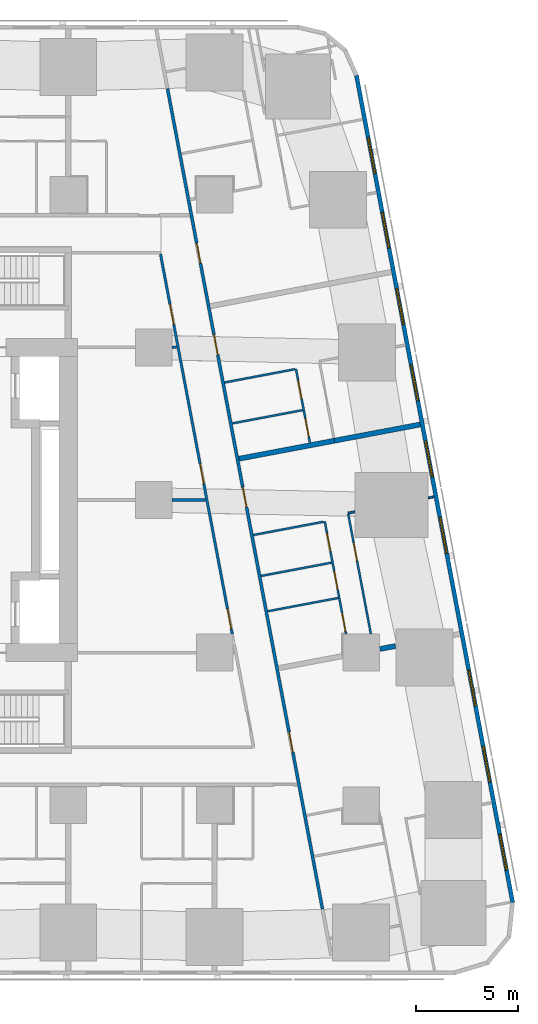
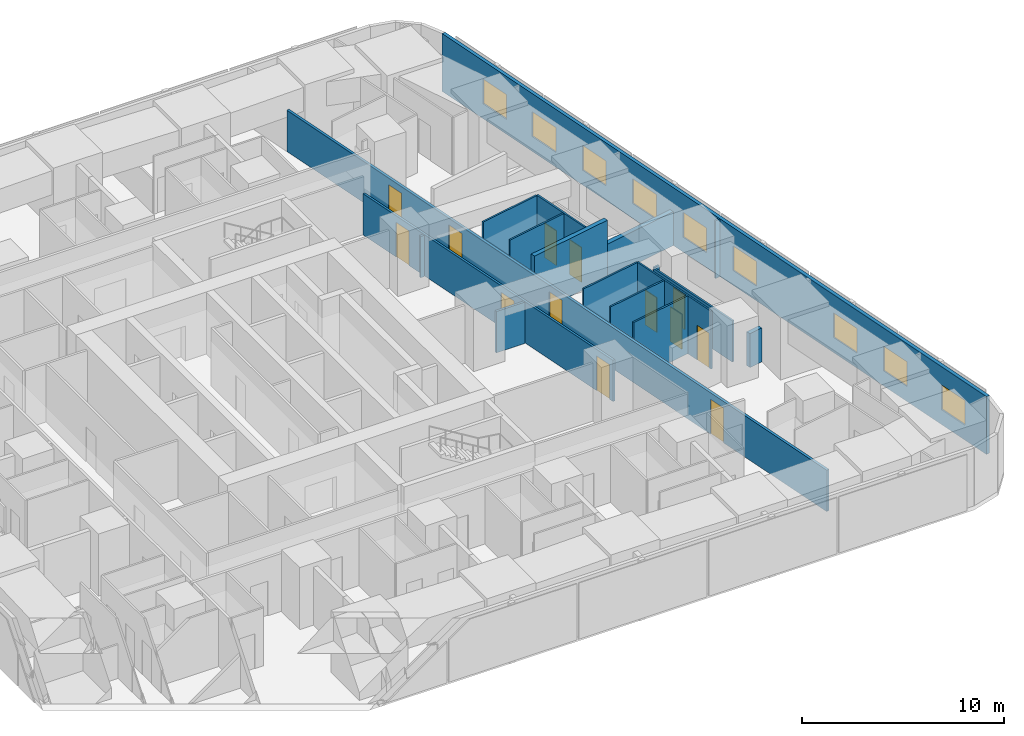
# One storey, part 7 of 15: 18 walls, 13 doors, 9 windows, 22 openings.
"""IFC4 building model written with IfcOpenShell, lengths in metres."""

import ifcopenshell
import ifcopenshell.guid

model = None  # the IFC model being written
_history = None  # IfcOwnerHistory: only IFC2X3 demands one
_inside = {}  # id of a spatial element -> (the spatial element, [elements in it])
_under = {}  # id of a project, library or spatial element -> (it, [spatial elements below it])
_declared = {}  # id of a project -> (the project, [libraries it declares])
_typed = {}  # id of a type object -> (the type object, [elements of that type])
_made_of = {}  # id of a material, layer set ... -> (it, [elements and type objects made of it])


def new_model(schema):
    """Start an empty IFC model of exactly this schema.

    Asked for "IFC4X3", IfcOpenShell would pick the latest addendum, in which some entities
    have other attributes; the version numbers below select the first issue.
    IFC2X3 requires an IfcOwnerHistory on every rooted entity: one is made here for all.
    """
    global model, _history
    if schema == "IFC4X3":
        model = ifcopenshell.file(schema_version=(4, 3, 0, 0))
    else:
        model = ifcopenshell.file(schema=schema)
    _inside.clear()
    _under.clear()
    _declared.clear()
    _typed.clear()
    _made_of.clear()
    _history = None
    if model.schema == "IFC2X3":
        org = make("IfcOrganization", Name="unknown")
        user = make(
            "IfcPersonAndOrganization",
            ThePerson=make("IfcPerson", FamilyName="unknown"),
            TheOrganization=org,
        )
        app = make(
            "IfcApplication",
            ApplicationDeveloper=org,
            Version="unknown",
            ApplicationFullName="unknown",
            ApplicationIdentifier="unknown",
        )
        _history = make(
            "IfcOwnerHistory",
            OwningUser=user,
            OwningApplication=app,
            ChangeAction="ADDED",
            CreationDate=0,
        )
    return model


def make(cls, **values):
    """One entity of the class cls with the attributes given. An attribute that is None is left unset."""
    return model.create_entity(
        cls, **{name: value for name, value in values.items() if value is not None}
    )


def rooted(cls, **values):
    """An entity with a GlobalId (a new one), such as an element, a storey or a relation."""
    return make(cls, GlobalId=ifcopenshell.guid.new(), OwnerHistory=_history, **values)


def si_unit(unit_type, name, prefix=None):
    """IfcSIUnit, for example si_unit("LENGTHUNIT", "METRE", prefix="MILLI")."""
    return make("IfcSIUnit", UnitType=unit_type, Prefix=prefix, Name=name)


def assignment(units):
    """IfcUnitAssignment: the units of a project."""
    return None if units is None else make("IfcUnitAssignment", Units=units)


def point(xyz):
    """IfcCartesianPoint."""
    return None if xyz is None else make("IfcCartesianPoint", Coordinates=xyz)


def direction(xyz):
    """IfcDirection."""
    return None if xyz is None else make("IfcDirection", DirectionRatios=xyz)


def frame(location, z_axis=None, x_axis=None):
    """IfcAxis2Placement3D, a coordinate frame: its origin and axes. An axis left out is left unset."""
    return make(
        "IfcAxis2Placement3D",
        Location=point(location),
        Axis=direction(z_axis),
        RefDirection=direction(x_axis),
    )


def frame_2d(location, x_axis=None):
    """IfcAxis2Placement2D, a coordinate frame in the plane: its origin and x axis."""
    return make(
        "IfcAxis2Placement2D", Location=point(location), RefDirection=direction(x_axis)
    )


def origin():
    """The frame at (0, 0, 0) with its axes left unset."""
    return frame((0.0, 0.0, 0.0))


def place(relative_to, where):
    """IfcLocalPlacement: puts the frame where relative to a parent placement (None: the world)."""
    return make(
        "IfcLocalPlacement", PlacementRelTo=relative_to, RelativePlacement=where
    )


def context(
    kind, dimensions, precision=None, world=None, true_north=None, identifier=None
):
    """IfcGeometricRepresentationContext, for example the 3D "Model" context."""
    return make(
        "IfcGeometricRepresentationContext",
        ContextIdentifier=identifier,
        ContextType=kind,
        CoordinateSpaceDimension=dimensions,
        Precision=precision,
        WorldCoordinateSystem=world,
        TrueNorth=true_north,
    )


def subcontext(parent, identifier, kind, view, scale=None):
    """IfcGeometricRepresentationSubContext, for example "Body" below "Model"."""
    return make(
        "IfcGeometricRepresentationSubContext",
        ContextIdentifier=identifier,
        ContextType=kind,
        ParentContext=parent,
        TargetScale=scale,
        TargetView=view,
    )


def project(units=None, contexts=None):
    """IfcProject with its units and contexts."""
    return rooted(
        "IfcProject",
        Name="project",
        RepresentationContexts=contexts,
        UnitsInContext=assignment(units),
    )


def spatial(cls, under=None, at=None, **own):
    """A site, building, storey or space (cls), placed at a placement, below another one or the project."""
    s = rooted(cls, ObjectPlacement=at, **own)
    if under is not None:
        _under.setdefault(under.id(), (under, []))[1].append(s)
    return s


def profile(cls, at=None, kind="AREA", **sizes):
    """A parametric profile (cls). Its sizes go by their IFC names, for example OverallWidth=200.0."""
    return make(cls, ProfileType=kind, Position=at, **sizes)


def rectangle(**sizes):
    """IfcRectangleProfileDef."""
    return profile("IfcRectangleProfileDef", **sizes)


def extrude(swept, where, along, depth):
    """IfcExtrudedAreaSolid: the profile swept, set in the frame where, extruded along a direction by depth."""
    return make(
        "IfcExtrudedAreaSolid",
        SweptArea=swept,
        Position=where,
        ExtrudedDirection=direction(along),
        Depth=depth,
    )


def shape(context_of_items, identifier, shape_type, items):
    """IfcShapeRepresentation: the items that make up one representation, for example the "Body"."""
    return make(
        "IfcShapeRepresentation",
        ContextOfItems=context_of_items,
        RepresentationIdentifier=identifier,
        RepresentationType=shape_type,
        Items=items,
    )


def material(Name=None, Category=None):
    """IfcMaterial."""
    return make("IfcMaterial", Name=Name, Category=Category)


def layer(
    of_material, thickness, ventilated=None, Name=None, Category=None, Priority=None
):
    """IfcMaterialLayer: one layer of a wall or slab, of a material (None: an air gap)."""
    return make(
        "IfcMaterialLayer",
        Material=of_material,
        LayerThickness=thickness,
        IsVentilated=ventilated,
        Name=Name,
        Category=Category,
        Priority=Priority,
    )


def layer_set(layers, Name=None):
    """IfcMaterialLayerSet."""
    return make("IfcMaterialLayerSet", MaterialLayers=layers, LayerSetName=Name)


def made_of(thing, what):
    """Note that an element or type object is made of a material, layer set ...; save() writes the relation."""
    if what is not None:
        _made_of.setdefault(what.id(), (what, []))[1].append(thing)
    return thing


def type_object(cls, material=None, **own):
    """A type object (cls), such as IfcWallType, which elements share."""
    return made_of(rooted(cls, **own), material)


def element(
    cls,
    number,
    at=None,
    inside=None,
    cuts=None,
    type_object=None,
    material=None,
    context=None,
    identifier="Body",
    shape_type=None,
    held_by="IfcProductDefinitionShape",
    body=None,
    shapes=None,
    **own,
):
    """One element of the class cls, such as IfcWall. Its Tag is "e" and its number.

    at: its placement. inside: the storey or other place that contains it. cuts: it is an
    opening in that element (IfcRelVoidsElement). A single representation is given by context,
    identifier, shape_type and body (its items); several are given by shapes. held_by: the class
    of the entity that holds the representations. save() writes the other relations.
    """
    e = rooted(cls, Tag="e%d" % number, ObjectPlacement=at, **own)
    if body is not None:
        shapes = [shape(context, identifier, shape_type, body)]
    if shapes is not None:
        e.Representation = make(held_by, Representations=shapes)
    if inside is not None:
        _inside.setdefault(inside.id(), (inside, []))[1].append(e)
    if cuts is not None:
        rooted(
            "IfcRelVoidsElement", RelatingBuildingElement=cuts, RelatedOpeningElement=e
        )
    if type_object is not None:
        _typed.setdefault(type_object.id(), (type_object, []))[1].append(e)
    return made_of(e, material)


def fill(opening, filler):
    """IfcRelFillsElement: the door or window that sits in an opening."""
    return rooted(
        "IfcRelFillsElement",
        RelatingOpeningElement=opening,
        RelatedBuildingElement=filler,
    )


def aggregate(whole, parts):
    """IfcRelAggregates: a whole, such as a stair, and the parts it consists of."""
    return rooted("IfcRelAggregates", RelatingObject=whole, RelatedObjects=parts)


def save(model, path):
    """Write the relations noted so far, then the file.

    IfcRelAggregates (storeys below a building ...), IfcRelContainedInSpatialStructure (elements
    in a storey), IfcRelDefinesByType, IfcRelAssociatesMaterial and IfcRelDeclares: one each for
    every whole, place, type object, material and project.
    """
    for whole, parts in _under.values():
        aggregate(whole, parts)
    for where, things in _inside.values():
        rooted(
            "IfcRelContainedInSpatialStructure",
            RelatedElements=things,
            RelatingStructure=where,
        )
    for kind, things in _typed.values():
        rooted("IfcRelDefinesByType", RelatedObjects=things, RelatingType=kind)
    for what, things in _made_of.values():
        rooted("IfcRelAssociatesMaterial", RelatedObjects=things, RelatingMaterial=what)
    for by, libraries in _declared.values():
        rooted("IfcRelDeclares", RelatingContext=by, RelatedDefinitions=libraries)
    model.write(path)


model = new_model("IFC4")

# Units and contexts
model_context = context("Model", 3, precision=1e-05, world=origin(), true_north=direction((0.0, 1.0)))
body_context = subcontext(model_context, "Body", "Model", "MODEL_VIEW")
ifc_project = project(units=[si_unit("LENGTHUNIT", "METRE"), si_unit("AREAUNIT", "SQUARE_METRE"), si_unit("VOLUMEUNIT", "CUBIC_METRE"), si_unit("PLANEANGLEUNIT", "RADIAN"), si_unit("MASSUNIT", "GRAM", prefix="KILO")], contexts=[model_context])

# Site, building, storey
site_placement = place(None, origin())
site = spatial("IfcSite", under=ifc_project, at=site_placement, CompositionType="ELEMENT")
building_placement = place(site_placement, origin())
building = spatial("IfcBuilding", under=site, at=building_placement, Name="Sheger Commons Tower", CompositionType="ELEMENT")
storey_placement = place(building_placement, frame((0.0, 0.0, 46.25)))
storey = spatial("IfcBuildingStorey", under=building, at=storey_placement, Name="L11", CompositionType="ELEMENT", Elevation=46.25)

# Wall, openings, doors
ifc_material_1 = material(Name="Hollow concrete block masonry, skimmed both sides", Category="masonry")
ifc_layer_1 = layer(ifc_material_1, 0.14990234375)
ifc_layer_set_1 = layer_set([ifc_layer_1], Name="CORRIDOR WALL 150")
wall_type_1 = type_object("IfcWallType", Name="CORRIDOR WALL 150", PredefinedType="SOLIDWALL", material=ifc_layer_set_1)
wall_1_placement = place(storey_placement, frame((33.679931640625, 42.722900390625, 0.0), z_axis=(0.0, 0.0, 1.0), x_axis=(0.185624129307, -0.98262082342, 0.0)))
wall_1 = element("IfcWall", 1, at=wall_1_placement, inside=storey, type_object=wall_type_1, Name="Corridor wall L11", PredefinedType="SOLIDWALL", context=body_context, shape_type="SweptSolid", body=[
    extrude(rectangle(XDim=41.05126953125, YDim=0.14990234375, at=frame_2d((20.525634765625, 0.0))), origin(), (0.0, 0.0, 1.0), 2.5),
])
opening_1_placement = place(wall_1_placement, frame((7.72998046875, 0.0, 0.0)))
opening_1 = element("IfcOpeningElement", 2, at=opening_1_placement, cuts=wall_1, Name="Opening D1", PredefinedType="OPENING", context=body_context, shape_type="SweptSolid", body=[
    extrude(rectangle(XDim=1.0, YDim=2.10009765625, at=frame_2d((0.5, 1.050048828125))), frame((0.0, 0.0849609375, 0.0), z_axis=(0.0, -1.0, 0.0), x_axis=(1.0, 0.0, 0.0)), (0.0, 0.0, 1.0), 0.169921875),
])
opening_2_placement = place(wall_1_placement, frame((12.306884765625, 0.0, 0.0)))
opening_2 = element("IfcOpeningElement", 3, at=opening_2_placement, cuts=wall_1, Name="Opening D1", PredefinedType="OPENING", context=body_context, shape_type="SweptSolid", body=[
    extrude(rectangle(XDim=1.0, YDim=2.10009765625, at=frame_2d((0.5, 1.050048828125))), frame((0.0, 0.0849609375, 0.0), z_axis=(0.0, -1.0, 0.0), x_axis=(1.0, 0.0, 0.0)), (0.0, 0.0, 1.0), 0.169921875),
])
opening_3_placement = place(wall_1_placement, frame((19.93798828125, 0.0, 0.0)))
opening_3 = element("IfcOpeningElement", 4, at=opening_3_placement, cuts=wall_1, Name="Opening D1", PredefinedType="OPENING", context=body_context, shape_type="SweptSolid", body=[
    extrude(rectangle(XDim=1.0, YDim=2.10009765625, at=frame_2d((0.5, 1.050048828125))), frame((0.0, 0.0849609375, 0.0), z_axis=(0.0, -1.0, 0.0), x_axis=(1.0, 0.0, 0.0)), (0.0, 0.0, 1.0), 0.169921875),
])
opening_4_placement = place(wall_1_placement, frame((32.193115234375, 0.0, 0.0)))
opening_4 = element("IfcOpeningElement", 5, at=opening_4_placement, cuts=wall_1, Name="Opening D1", PredefinedType="OPENING", context=body_context, shape_type="SweptSolid", body=[
    extrude(rectangle(XDim=1.0, YDim=2.10009765625, at=frame_2d((0.5, 1.050048828125))), frame((0.0, 0.0849609375, 0.0), z_axis=(0.0, -1.0, 0.0), x_axis=(1.0, 0.0, 0.0)), (0.0, 0.0, 1.0), 0.169921875),
])
ifc_material_2 = material(Name="Steel door set, fire rated", Category="steel")
door_type_1 = type_object("IfcDoorType", Name="FLAT ENTRANCE DOOR 1000x2100", OperationType="NOTDEFINED", PredefinedType="DOOR", material=ifc_material_2)
door_1_placement = place(opening_1_placement, origin())
door_1 = element("IfcDoor", 6, at=door_1_placement, inside=storey, type_object=door_type_1, Name="Flat entrance door", OperationType="SINGLE_SWING_RIGHT", OverallHeight=2.10009765625, OverallWidth=1.0, PredefinedType="DOOR", context=body_context, shape_type="SweptSolid", body=[
    extrude(rectangle(XDim=1.0, YDim=2.10009765625, at=frame_2d((0.5, 1.050048828125))), frame((0.0, 0.02490234375, 0.0), z_axis=(0.0, -1.0, 0.0), x_axis=(1.0, 0.0, 0.0)), (0.0, 0.0, 1.0), 0.050048828125),
])
fill(opening_1, door_1)
door_2_placement = place(opening_2_placement, origin())
door_2 = element("IfcDoor", 7, at=door_2_placement, inside=storey, type_object=door_type_1, Name="Flat entrance door", OperationType="SINGLE_SWING_LEFT", OverallHeight=2.10009765625, OverallWidth=1.0, PredefinedType="DOOR", context=body_context, shape_type="SweptSolid", body=[
    extrude(rectangle(XDim=1.0, YDim=2.10009765625, at=frame_2d((0.5, 1.050048828125))), frame((0.0, 0.02490234375, 0.0), z_axis=(0.0, -1.0, 0.0), x_axis=(1.0, 0.0, 0.0)), (0.0, 0.0, 1.0), 0.050048828125),
])
fill(opening_2, door_2)
door_3_placement = place(opening_3_placement, origin())
door_3 = element("IfcDoor", 8, at=door_3_placement, inside=storey, type_object=door_type_1, Name="Flat entrance door", OperationType="SINGLE_SWING_RIGHT", OverallHeight=2.10009765625, OverallWidth=1.0, PredefinedType="DOOR", context=body_context, shape_type="SweptSolid", body=[
    extrude(rectangle(XDim=1.0, YDim=2.10009765625, at=frame_2d((0.5, 1.050048828125))), frame((0.0, 0.02490234375, 0.0), z_axis=(0.0, -1.0, 0.0), x_axis=(1.0, 0.0, 0.0)), (0.0, 0.0, 1.0), 0.050048828125),
])
fill(opening_3, door_3)
door_4_placement = place(opening_4_placement, origin())
door_4 = element("IfcDoor", 9, at=door_4_placement, inside=storey, type_object=door_type_1, Name="Flat entrance door", OperationType="SINGLE_SWING_RIGHT", OverallHeight=2.10009765625, OverallWidth=1.0, PredefinedType="DOOR", context=body_context, shape_type="SweptSolid", body=[
    extrude(rectangle(XDim=1.0, YDim=2.10009765625, at=frame_2d((0.5, 1.050048828125))), frame((0.0, 0.02490234375, 0.0), z_axis=(0.0, -1.0, 0.0), x_axis=(1.0, 0.0, 0.0)), (0.0, 0.0, 1.0), 0.050048828125),
])
fill(opening_4, door_4)

# Walls
ifc_material_3 = material(Name="Dense concrete block masonry, plastered both sides (separating wall between flats)", Category="masonry")
ifc_layer_2 = layer(ifc_material_3, 0.25)
ifc_layer_set_2 = layer_set([ifc_layer_2], Name="DEMISING WALL 250")
wall_type_2 = type_object("IfcWallType", Name="DEMISING WALL 250", PredefinedType="SOLIDWALL", material=ifc_layer_set_2)
wall_2_placement = place(storey_placement, frame((46.110107421875, 26.212890625, 0.0), z_axis=(0.0, 0.0, 1.0), x_axis=(-0.982633535512, -0.185556823879, 0.0)))
element("IfcWall", 10, at=wall_2_placement, inside=storey, type_object=wall_type_2, Name="Demising wall L11", PredefinedType="SOLIDWALL", context=body_context, shape_type="SweptSolid", body=[
    extrude(rectangle(XDim=4.2998046875, YDim=0.25, at=frame_2d((2.14990234375, 0.0))), origin(), (0.0, 0.0, 1.0), 2.050048828125),
])
wall_3_placement = place(storey_placement, frame((41.885009765625, 25.4150390625, 0.0), z_axis=(0.0, 0.0, 1.0), x_axis=(-0.982596737686, -0.185751584349, 0.0)))
element("IfcWall", 11, at=wall_3_placement, inside=storey, type_object=wall_type_2, Name="Demising wall L11", PredefinedType="SOLIDWALL", context=body_context, shape_type="SweptSolid", body=[
    extrude(rectangle(XDim=4.77490234375, YDim=0.25, at=frame_2d((2.387451171875, 0.0))), origin(), (0.0, 0.0, 1.0), 3.5),
])
wall_4_placement = place(storey_placement, frame((44.889892578125, 15.319091796875, 0.0), z_axis=(0.0, 0.0, 1.0), x_axis=(-0.982540856152, -0.186046945666, 0.0)))
element("IfcWall", 12, at=wall_4_placement, inside=storey, type_object=wall_type_2, Name="Demising wall L11", PredefinedType="SOLIDWALL", context=body_context, shape_type="SweptSolid", body=[
    extrude(rectangle(XDim=0.779541015625, YDim=0.25, at=frame_2d((0.3896484375, 0.0))), origin(), (0.0, 0.0, 1.0), 2.050048828125),
])

# Wall, openings, windows
ifc_material_4 = material(Name="Rendered concrete block masonry, dark grey", Category="masonry")
ifc_layer_3 = layer(ifc_material_4, 0.199951171875)
ifc_layer_set_3 = layer_set([ifc_layer_3], Name="FACADE WALL 200")
wall_type_3 = type_object("IfcWallType", Name="FACADE WALL 200", PredefinedType="SOLIDWALL", material=ifc_layer_set_3)
wall_5_placement = place(storey_placement, frame((50.653076171875, 2.702880859375, 0.0), z_axis=(0.0, 0.0, 1.0), x_axis=(-0.185612026696, 0.982623109613, 0.0)))
wall_5 = element("IfcWall", 13, at=wall_5_placement, inside=storey, type_object=wall_type_3, Name="Facade wall L11", PredefinedType="SOLIDWALL", context=body_context, shape_type="SweptSolid", body=[
    extrude(rectangle(XDim=41.393310546875, YDim=0.199951171875, at=frame_2d((20.69677734375, 0.0))), origin(), (0.0, 0.0, 1.0), 3.5),
])
opening_5_placement = place(wall_5_placement, frame((1.633056640625, 0.0, 0.89990234375)))
opening_5 = element("IfcOpeningElement", 14, at=opening_5_placement, cuts=wall_5, Name="Opening W2", PredefinedType="OPENING", context=body_context, shape_type="SweptSolid", body=[
    extrude(rectangle(XDim=1.800048828125, YDim=1.5, at=frame_2d((0.89990234375, 0.75))), frame((0.0, 0.10986328125, 0.0), z_axis=(0.0, -1.0, 0.0), x_axis=(1.0, 0.0, 0.0)), (0.0, 0.0, 1.0), 0.219970703125),
])
opening_6_placement = place(wall_5_placement, frame((6.031982421875, 0.0, 0.89990234375)))
opening_6 = element("IfcOpeningElement", 15, at=opening_6_placement, cuts=wall_5, Name="Opening W2", PredefinedType="OPENING", context=body_context, shape_type="SweptSolid", body=[
    extrude(rectangle(XDim=1.800048828125, YDim=1.5, at=frame_2d((0.89990234375, 0.75))), frame((0.0, 0.10986328125, 0.0), z_axis=(0.0, -1.0, 0.0), x_axis=(1.0, 0.0, 0.0)), (0.0, 0.0, 1.0), 0.219970703125),
])
opening_7_placement = place(wall_5_placement, frame((9.847900390625, 0.0, 0.89990234375)))
opening_7 = element("IfcOpeningElement", 16, at=opening_7_placement, cuts=wall_5, Name="Opening W2", PredefinedType="OPENING", context=body_context, shape_type="SweptSolid", body=[
    extrude(rectangle(XDim=1.800048828125, YDim=1.5, at=frame_2d((0.89990234375, 0.75))), frame((0.0, 0.10986328125, 0.0), z_axis=(0.0, -1.0, 0.0), x_axis=(1.0, 0.0, 0.0)), (0.0, 0.0, 1.0), 0.219970703125),
])
opening_8_placement = place(wall_5_placement, frame((17.48095703125, 0.0, 0.89990234375)))
opening_8 = element("IfcOpeningElement", 17, at=opening_8_placement, cuts=wall_5, Name="Opening W2", PredefinedType="OPENING", context=body_context, shape_type="SweptSolid", body=[
    extrude(rectangle(XDim=1.800048828125, YDim=1.5, at=frame_2d((0.89990234375, 0.75))), frame((0.0, 0.10986328125, 0.0), z_axis=(0.0, -1.0, 0.0), x_axis=(1.0, 0.0, 0.0)), (0.0, 0.0, 1.0), 0.219970703125),
])
opening_9_placement = place(wall_5_placement, frame((21.297119140625, 0.0, 0.89990234375)))
opening_9 = element("IfcOpeningElement", 18, at=opening_9_placement, cuts=wall_5, Name="Opening W2", PredefinedType="OPENING", context=body_context, shape_type="SweptSolid", body=[
    extrude(rectangle(XDim=1.800048828125, YDim=1.5, at=frame_2d((0.89990234375, 0.75))), frame((0.0, 0.10986328125, 0.0), z_axis=(0.0, -1.0, 0.0), x_axis=(1.0, 0.0, 0.0)), (0.0, 0.0, 1.0), 0.219970703125),
])
opening_10_placement = place(wall_5_placement, frame((25.113037109375, 0.0, 0.89990234375)))
opening_10 = element("IfcOpeningElement", 19, at=opening_10_placement, cuts=wall_5, Name="Opening W2", PredefinedType="OPENING", context=body_context, shape_type="SweptSolid", body=[
    extrude(rectangle(XDim=1.800048828125, YDim=1.5, at=frame_2d((0.89990234375, 0.75))), frame((0.0, 0.10986328125, 0.0), z_axis=(0.0, -1.0, 0.0), x_axis=(1.0, 0.0, 0.0)), (0.0, 0.0, 1.0), 0.219970703125),
])
opening_11_placement = place(wall_5_placement, frame((28.929931640625, 0.0, 0.89990234375)))
opening_11 = element("IfcOpeningElement", 20, at=opening_11_placement, cuts=wall_5, Name="Opening W2", PredefinedType="OPENING", context=body_context, shape_type="SweptSolid", body=[
    extrude(rectangle(XDim=1.800048828125, YDim=1.5, at=frame_2d((0.89990234375, 0.75))), frame((0.0, 0.10986328125, 0.0), z_axis=(0.0, -1.0, 0.0), x_axis=(1.0, 0.0, 0.0)), (0.0, 0.0, 1.0), 0.219970703125),
])
opening_12_placement = place(wall_5_placement, frame((32.74609375, 0.0, 0.89990234375)))
opening_12 = element("IfcOpeningElement", 21, at=opening_12_placement, cuts=wall_5, Name="Opening W2", PredefinedType="OPENING", context=body_context, shape_type="SweptSolid", body=[
    extrude(rectangle(XDim=1.800048828125, YDim=1.5, at=frame_2d((0.89990234375, 0.75))), frame((0.0, 0.10986328125, 0.0), z_axis=(0.0, -1.0, 0.0), x_axis=(1.0, 0.0, 0.0)), (0.0, 0.0, 1.0), 0.219970703125),
])
opening_13_placement = place(wall_5_placement, frame((36.48095703125, 0.0, 0.89990234375)))
opening_13 = element("IfcOpeningElement", 22, at=opening_13_placement, cuts=wall_5, Name="Opening W2", PredefinedType="OPENING", context=body_context, shape_type="SweptSolid", body=[
    extrude(rectangle(XDim=1.800048828125, YDim=1.5, at=frame_2d((0.89990234375, 0.75))), frame((0.0, 0.10986328125, 0.0), z_axis=(0.0, -1.0, 0.0), x_axis=(1.0, 0.0, 0.0)), (0.0, 0.0, 1.0), 0.219970703125),
])
ifc_material_5 = material(Name="Black aluminium frame, dark tinted double glazing", Category="aluminium")
window_type = type_object("IfcWindowType", Name="WINDOW W2 1800x1500", PartitioningType="SINGLE_PANEL", PredefinedType="WINDOW", material=ifc_material_5)
window_1_placement = place(opening_5_placement, origin())
window_1 = element("IfcWindow", 23, at=window_1_placement, inside=storey, type_object=window_type, Name="Window W2 1800X1500", OverallHeight=1.5, OverallWidth=1.800048828125, PartitioningType="SINGLE_PANEL", PredefinedType="WINDOW", context=body_context, shape_type="SweptSolid", body=[
    extrude(rectangle(XDim=1.800048828125, YDim=1.5, at=frame_2d((0.89990234375, 0.75))), frame((0.0, 0.030029296875, 0.0), z_axis=(0.0, -1.0, 0.0), x_axis=(1.0, 0.0, 0.0)), (0.0, 0.0, 1.0), 0.06005859375),
])
fill(opening_5, window_1)
window_2_placement = place(opening_6_placement, origin())
window_2 = element("IfcWindow", 24, at=window_2_placement, inside=storey, type_object=window_type, Name="Window W2 1800X1500", OverallHeight=1.5, OverallWidth=1.800048828125, PartitioningType="SINGLE_PANEL", PredefinedType="WINDOW", context=body_context, shape_type="SweptSolid", body=[
    extrude(rectangle(XDim=1.800048828125, YDim=1.5, at=frame_2d((0.89990234375, 0.75))), frame((0.0, 0.030029296875, 0.0), z_axis=(0.0, -1.0, 0.0), x_axis=(1.0, 0.0, 0.0)), (0.0, 0.0, 1.0), 0.06005859375),
])
fill(opening_6, window_2)
window_3_placement = place(opening_7_placement, origin())
window_3 = element("IfcWindow", 25, at=window_3_placement, inside=storey, type_object=window_type, Name="Window W2 1800X1500", OverallHeight=1.5, OverallWidth=1.800048828125, PartitioningType="SINGLE_PANEL", PredefinedType="WINDOW", context=body_context, shape_type="SweptSolid", body=[
    extrude(rectangle(XDim=1.800048828125, YDim=1.5, at=frame_2d((0.89990234375, 0.75))), frame((0.0, 0.030029296875, 0.0), z_axis=(0.0, -1.0, 0.0), x_axis=(1.0, 0.0, 0.0)), (0.0, 0.0, 1.0), 0.06005859375),
])
fill(opening_7, window_3)
window_4_placement = place(opening_8_placement, origin())
window_4 = element("IfcWindow", 26, at=window_4_placement, inside=storey, type_object=window_type, Name="Window W2 1800X1500", OverallHeight=1.5, OverallWidth=1.800048828125, PartitioningType="SINGLE_PANEL", PredefinedType="WINDOW", context=body_context, shape_type="SweptSolid", body=[
    extrude(rectangle(XDim=1.800048828125, YDim=1.5, at=frame_2d((0.89990234375, 0.75))), frame((0.0, 0.030029296875, 0.0), z_axis=(0.0, -1.0, 0.0), x_axis=(1.0, 0.0, 0.0)), (0.0, 0.0, 1.0), 0.06005859375),
])
fill(opening_8, window_4)
window_5_placement = place(opening_9_placement, origin())
window_5 = element("IfcWindow", 27, at=window_5_placement, inside=storey, type_object=window_type, Name="Window W2 1800X1500", OverallHeight=1.5, OverallWidth=1.800048828125, PartitioningType="SINGLE_PANEL", PredefinedType="WINDOW", context=body_context, shape_type="SweptSolid", body=[
    extrude(rectangle(XDim=1.800048828125, YDim=1.5, at=frame_2d((0.89990234375, 0.75))), frame((0.0, 0.030029296875, 0.0), z_axis=(0.0, -1.0, 0.0), x_axis=(1.0, 0.0, 0.0)), (0.0, 0.0, 1.0), 0.06005859375),
])
fill(opening_9, window_5)
window_6_placement = place(opening_10_placement, origin())
window_6 = element("IfcWindow", 28, at=window_6_placement, inside=storey, type_object=window_type, Name="Window W2 1800X1500", OverallHeight=1.5, OverallWidth=1.800048828125, PartitioningType="SINGLE_PANEL", PredefinedType="WINDOW", context=body_context, shape_type="SweptSolid", body=[
    extrude(rectangle(XDim=1.800048828125, YDim=1.5, at=frame_2d((0.89990234375, 0.75))), frame((0.0, 0.030029296875, 0.0), z_axis=(0.0, -1.0, 0.0), x_axis=(1.0, 0.0, 0.0)), (0.0, 0.0, 1.0), 0.06005859375),
])
fill(opening_10, window_6)
window_7_placement = place(opening_11_placement, origin())
window_7 = element("IfcWindow", 29, at=window_7_placement, inside=storey, type_object=window_type, Name="Window W2 1800X1500", OverallHeight=1.5, OverallWidth=1.800048828125, PartitioningType="SINGLE_PANEL", PredefinedType="WINDOW", context=body_context, shape_type="SweptSolid", body=[
    extrude(rectangle(XDim=1.800048828125, YDim=1.5, at=frame_2d((0.89990234375, 0.75))), frame((0.0, 0.030029296875, 0.0), z_axis=(0.0, -1.0, 0.0), x_axis=(1.0, 0.0, 0.0)), (0.0, 0.0, 1.0), 0.06005859375),
])
fill(opening_11, window_7)
window_8_placement = place(opening_12_placement, origin())
window_8 = element("IfcWindow", 30, at=window_8_placement, inside=storey, type_object=window_type, Name="Window W2 1800X1500", OverallHeight=1.5, OverallWidth=1.800048828125, PartitioningType="SINGLE_PANEL", PredefinedType="WINDOW", context=body_context, shape_type="SweptSolid", body=[
    extrude(rectangle(XDim=1.800048828125, YDim=1.5, at=frame_2d((0.89990234375, 0.75))), frame((0.0, 0.030029296875, 0.0), z_axis=(0.0, -1.0, 0.0), x_axis=(1.0, 0.0, 0.0)), (0.0, 0.0, 1.0), 0.06005859375),
])
fill(opening_12, window_8)
window_9_placement = place(opening_13_placement, origin())
window_9 = element("IfcWindow", 31, at=window_9_placement, inside=storey, type_object=window_type, Name="Window W2 1800X1500", OverallHeight=1.5, OverallWidth=1.800048828125, PartitioningType="SINGLE_PANEL", PredefinedType="WINDOW", context=body_context, shape_type="SweptSolid", body=[
    extrude(rectangle(XDim=1.800048828125, YDim=1.5, at=frame_2d((0.89990234375, 0.75))), frame((0.0, 0.030029296875, 0.0), z_axis=(0.0, -1.0, 0.0), x_axis=(1.0, 0.0, 0.0)), (0.0, 0.0, 1.0), 0.06005859375),
])
fill(opening_13, window_9)

# Wall, openings, doors
ifc_material_6 = material(Name="Gypsum board on steel studs", Category="steel")
ifc_layer_4 = layer(ifc_material_6, 0.10009765625)
ifc_layer_set_4 = layer_set([ifc_layer_4], Name="PARTITION 100")
wall_type_4 = type_object("IfcWallType", Name="PARTITION 100", PredefinedType="PARTITIONING", material=ifc_layer_set_4)
wall_6_placement = place(storey_placement, frame((39.9970703125, 28.94189453125, 0.0), z_axis=(0.0, 0.0, 1.0), x_axis=(0.185580474845, -0.982629069057, 0.0)))
wall_6 = element("IfcWall", 32, at=wall_6_placement, inside=storey, type_object=wall_type_4, Name="Partition L11", PredefinedType="PARTITIONING", context=body_context, shape_type="SweptSolid", body=[
    extrude(rectangle(XDim=3.684814453125, YDim=0.10009765625, at=frame_2d((1.84228515625, 0.0))), origin(), (0.0, 0.0, 1.0), 3.5),
])
opening_14_placement = place(wall_6_placement, frame((0.575927734375, 0.0, 0.0)))
opening_14 = element("IfcOpeningElement", 33, at=opening_14_placement, cuts=wall_6, Name="Opening D2", PredefinedType="OPENING", context=body_context, shape_type="SweptSolid", body=[
    extrude(rectangle(XDim=0.89990234375, YDim=2.10009765625, at=frame_2d((0.449951171875, 1.050048828125))), frame((0.0, 0.06005859375, 0.0), z_axis=(0.0, -1.0, 0.0), x_axis=(1.0, 0.0, 0.0)), (0.0, 0.0, 1.0), 0.1201171875),
])
opening_15_placement = place(wall_6_placement, frame((2.48291015625, 0.0, 0.0)))
opening_15 = element("IfcOpeningElement", 34, at=opening_15_placement, cuts=wall_6, Name="Opening D2", PredefinedType="OPENING", context=body_context, shape_type="SweptSolid", body=[
    extrude(rectangle(XDim=0.89990234375, YDim=2.10009765625, at=frame_2d((0.449951171875, 1.050048828125))), frame((0.0, 0.06005859375, 0.0), z_axis=(0.0, -1.0, 0.0), x_axis=(1.0, 0.0, 0.0)), (0.0, 0.0, 1.0), 0.1201171875),
])
ifc_material_7 = material(Name="Timber door set", Category="wood")
door_type_2 = type_object("IfcDoorType", Name="INTERNAL DOOR 900x2100", OperationType="NOTDEFINED", PredefinedType="DOOR", material=ifc_material_7)
door_5_placement = place(opening_14_placement, origin())
door_5 = element("IfcDoor", 35, at=door_5_placement, inside=storey, type_object=door_type_2, Name="Bathroom door", OperationType="SINGLE_SWING_RIGHT", OverallHeight=2.10009765625, OverallWidth=0.89990234375, PredefinedType="DOOR", context=body_context, shape_type="SweptSolid", body=[
    extrude(rectangle(XDim=0.89990234375, YDim=2.10009765625, at=frame_2d((0.449951171875, 1.050048828125))), frame((0.0, 0.02490234375, 0.0), z_axis=(0.0, -1.0, 0.0), x_axis=(1.0, 0.0, 0.0)), (0.0, 0.0, 1.0), 0.050048828125),
])
fill(opening_14, door_5)
door_6_placement = place(opening_15_placement, origin())
door_6 = element("IfcDoor", 36, at=door_6_placement, inside=storey, type_object=door_type_2, Name="Store door", OperationType="SINGLE_SWING_LEFT", OverallHeight=2.10009765625, OverallWidth=0.89990234375, PredefinedType="DOOR", context=body_context, shape_type="SweptSolid", body=[
    extrude(rectangle(XDim=0.89990234375, YDim=2.10009765625, at=frame_2d((0.449951171875, 1.050048828125))), frame((0.0, 0.02490234375, 0.0), z_axis=(0.0, -1.0, 0.0), x_axis=(1.0, 0.0, 0.0)), (0.0, 0.0, 1.0), 0.050048828125),
])
fill(opening_15, door_6)

# Walls
wall_7_placement = place(storey_placement, frame((39.947998046875, 28.93310546875, 0.0), z_axis=(0.0, 0.0, 1.0), x_axis=(-0.982576058723, -0.185860939478, 0.0)))
element("IfcWall", 37, at=wall_7_placement, inside=storey, type_object=wall_type_4, Name="Partition L11", PredefinedType="PARTITIONING", context=body_context, shape_type="SweptSolid", body=[
    extrude(rectangle(XDim=3.5244140625, YDim=0.10009765625, at=frame_2d((1.76220703125, 0.0))), origin(), (0.0, 0.0, 1.0), 3.5),
])
wall_8_placement = place(storey_placement, frame((40.3291015625, 26.91796875, 0.0), z_axis=(0.0, 0.0, 1.0), x_axis=(-0.982638553676, -0.185530247748, 0.0)))
element("IfcWall", 38, at=wall_8_placement, inside=storey, type_object=wall_type_4, Name="Partition L11", PredefinedType="PARTITIONING", context=body_context, shape_type="SweptSolid", body=[
    extrude(rectangle(XDim=3.525390625, YDim=0.10009765625, at=frame_2d((1.7626953125, 0.0))), origin(), (0.0, 0.0, 1.0), 3.5),
])

# Wall, opening, door
wall_9_placement = place(storey_placement, frame((42.56494140625, 21.80908203125, 0.0), z_axis=(0.0, 0.0, 1.0), x_axis=(0.185719768524, -0.982602751665, 0.0)))
wall_9 = element("IfcWall", 39, at=wall_9_placement, inside=storey, type_object=wall_type_4, Name="Partition L11", PredefinedType="PARTITIONING", context=body_context, shape_type="SweptSolid", body=[
    extrude(rectangle(XDim=6.003662109375, YDim=0.10009765625, at=frame_2d((3.001953125, 0.0))), origin(), (0.0, 0.0, 1.0), 2.5),
])
opening_16_placement = place(wall_9_placement, frame((1.449951171875, 0.0, 0.0)))
opening_16 = element("IfcOpeningElement", 40, at=opening_16_placement, cuts=wall_9, Name="Opening D2", PredefinedType="OPENING", context=body_context, shape_type="SweptSolid", body=[
    extrude(rectangle(XDim=0.89990234375, YDim=2.10009765625, at=frame_2d((0.449951171875, 1.050048828125))), frame((0.0, 0.06005859375, 0.0), z_axis=(0.0, -1.0, 0.0), x_axis=(1.0, 0.0, 0.0)), (0.0, 0.0, 1.0), 0.1201171875),
])
door_7_placement = place(opening_16_placement, origin())
door_7 = element("IfcDoor", 41, at=door_7_placement, inside=storey, type_object=door_type_2, Name="Main bedroom door", OperationType="SINGLE_SWING_RIGHT", OverallHeight=2.10009765625, OverallWidth=0.89990234375, PredefinedType="DOOR", context=body_context, shape_type="SweptSolid", body=[
    extrude(rectangle(XDim=0.89990234375, YDim=2.10009765625, at=frame_2d((0.449951171875, 1.050048828125))), frame((0.0, 0.02490234375, 0.0), z_axis=(0.0, -1.0, 0.0), x_axis=(1.0, 0.0, 0.0)), (0.0, 0.0, 1.0), 0.050048828125),
])
fill(opening_16, door_7)

# Wall, openings, doors
wall_10_placement = place(storey_placement, frame((41.4140625, 21.44189453125, 0.0), z_axis=(0.0, 0.0, 1.0), x_axis=(0.185605379031, -0.982624365297, 0.0)))
wall_10 = element("IfcWall", 42, at=wall_10_placement, inside=storey, type_object=wall_type_4, Name="Partition L11", PredefinedType="PARTITIONING", context=body_context, shape_type="SweptSolid", body=[
    extrude(rectangle(XDim=5.6298828125, YDim=0.10009765625, at=frame_2d((2.81494140625, 0.0))), origin(), (0.0, 0.0, 1.0), 3.5),
])
opening_17_placement = place(wall_10_placement, frame((0.574951171875, 0.0, 0.0)))
opening_17 = element("IfcOpeningElement", 43, at=opening_17_placement, cuts=wall_10, Name="Opening D2", PredefinedType="OPENING", context=body_context, shape_type="SweptSolid", body=[
    extrude(rectangle(XDim=0.89990234375, YDim=2.10009765625, at=frame_2d((0.449951171875, 1.050048828125))), frame((0.0, 0.06005859375, 0.0), z_axis=(0.0, -1.0, 0.0), x_axis=(1.0, 0.0, 0.0)), (0.0, 0.0, 1.0), 0.1201171875),
])
opening_18_placement = place(wall_10_placement, frame((4.580078125, 0.0, 0.0)))
opening_18 = element("IfcOpeningElement", 44, at=opening_18_placement, cuts=wall_10, Name="Opening D2", PredefinedType="OPENING", context=body_context, shape_type="SweptSolid", body=[
    extrude(rectangle(XDim=0.89990234375, YDim=2.10009765625, at=frame_2d((0.449951171875, 1.050048828125))), frame((0.0, 0.06005859375, 0.0), z_axis=(0.0, -1.0, 0.0), x_axis=(1.0, 0.0, 0.0)), (0.0, 0.0, 1.0), 0.1201171875),
])
opening_19_placement = place(wall_10_placement, frame((2.48291015625, 0.0, 0.0)))
opening_19 = element("IfcOpeningElement", 45, at=opening_19_placement, cuts=wall_10, Name="Opening D2", PredefinedType="OPENING", context=body_context, shape_type="SweptSolid", body=[
    extrude(rectangle(XDim=0.89990234375, YDim=2.10009765625, at=frame_2d((0.449951171875, 1.050048828125))), frame((0.0, 0.06005859375, 0.0), z_axis=(0.0, -1.0, 0.0), x_axis=(1.0, 0.0, 0.0)), (0.0, 0.0, 1.0), 0.1201171875),
])
door_8_placement = place(opening_17_placement, origin())
door_8 = element("IfcDoor", 46, at=door_8_placement, inside=storey, type_object=door_type_2, Name="Bathroom door", OperationType="SINGLE_SWING_RIGHT", OverallHeight=2.10009765625, OverallWidth=0.89990234375, PredefinedType="DOOR", context=body_context, shape_type="SweptSolid", body=[
    extrude(rectangle(XDim=0.89990234375, YDim=2.10009765625, at=frame_2d((0.449951171875, 1.050048828125))), frame((0.0, 0.02490234375, 0.0), z_axis=(0.0, -1.0, 0.0), x_axis=(1.0, 0.0, 0.0)), (0.0, 0.0, 1.0), 0.050048828125),
])
fill(opening_17, door_8)
door_9_placement = place(opening_18_placement, origin())
door_9 = element("IfcDoor", 47, at=door_9_placement, inside=storey, type_object=door_type_2, Name="Store and laundry door", OperationType="SINGLE_SWING_LEFT", OverallHeight=2.10009765625, OverallWidth=0.89990234375, PredefinedType="DOOR", context=body_context, shape_type="SweptSolid", body=[
    extrude(rectangle(XDim=0.89990234375, YDim=2.10009765625, at=frame_2d((0.449951171875, 1.050048828125))), frame((0.0, 0.02490234375, 0.0), z_axis=(0.0, -1.0, 0.0), x_axis=(1.0, 0.0, 0.0)), (0.0, 0.0, 1.0), 0.050048828125),
])
fill(opening_18, door_9)
door_10_placement = place(opening_19_placement, origin())
door_10 = element("IfcDoor", 48, at=door_10_placement, inside=storey, type_object=door_type_2, Name="Store door", OperationType="SINGLE_SWING_LEFT", OverallHeight=2.10009765625, OverallWidth=0.89990234375, PredefinedType="DOOR", context=body_context, shape_type="SweptSolid", body=[
    extrude(rectangle(XDim=0.89990234375, YDim=2.10009765625, at=frame_2d((0.449951171875, 1.050048828125))), frame((0.0, 0.02490234375, 0.0), z_axis=(0.0, -1.0, 0.0), x_axis=(1.0, 0.0, 0.0)), (0.0, 0.0, 1.0), 0.050048828125),
])
fill(opening_19, door_10)

# Walls
wall_11_placement = place(storey_placement, frame((46.781982421875, 22.656982421875, 0.0), z_axis=(0.0, 0.0, 1.0), x_axis=(-0.982574553168, -0.185868898601, 0.0)))
element("IfcWall", 49, at=wall_11_placement, inside=storey, type_object=wall_type_4, Name="Partition L11", PredefinedType="PARTITIONING", context=body_context, shape_type="SweptSolid", body=[
    extrude(rectangle(XDim=0.27978515625, YDim=0.10009765625, at=frame_2d((0.139892578125, 0.0))), origin(), (0.0, 0.0, 1.0), 3.5),
])
wall_12_placement = place(storey_placement, frame((42.886962890625, 21.9208984375, 0.0), z_axis=(0.0, 0.0, 1.0), x_axis=(-0.982274918032, -0.187445953293, 0.0)))
element("IfcWall", 50, at=wall_12_placement, inside=storey, type_object=wall_type_4, Name="Partition L11", PredefinedType="PARTITIONING", context=body_context, shape_type="SweptSolid", body=[
    extrude(rectangle(XDim=0.3359375, YDim=0.10009765625, at=frame_2d((0.16796875, 0.0))), origin(), (0.0, 0.0, 1.0), 2.5),
])
wall_13_placement = place(storey_placement, frame((41.364990234375, 21.43310546875, 0.0), z_axis=(0.0, 0.0, 1.0), x_axis=(-0.982638553676, -0.185530247748, 0.0)))
element("IfcWall", 51, at=wall_13_placement, inside=storey, type_object=wall_type_4, Name="Partition L11", PredefinedType="PARTITIONING", context=body_context, shape_type="SweptSolid", body=[
    extrude(rectangle(XDim=3.525390625, YDim=0.10009765625, at=frame_2d((1.7626953125, 0.0))), origin(), (0.0, 0.0, 1.0), 3.5),
])
wall_14_placement = place(storey_placement, frame((42.072998046875, 17.68310546875, 0.0), z_axis=(0.0, 0.0, 1.0), x_axis=(-0.982626628545, -0.185593396635, 0.0)))
element("IfcWall", 52, at=wall_14_placement, inside=storey, type_object=wall_type_4, Name="Partition L11", PredefinedType="PARTITIONING", context=body_context, shape_type="SweptSolid", body=[
    extrude(rectangle(XDim=3.524169921875, YDim=0.10009765625, at=frame_2d((1.76220703125, 0.0))), origin(), (0.0, 0.0, 1.0), 3.5),
])
wall_15_placement = place(storey_placement, frame((41.7451171875, 19.41796875, 0.0), z_axis=(0.0, 0.0, 1.0), x_axis=(-0.982629014545, -0.18558076348, 0.0)))
element("IfcWall", 53, at=wall_15_placement, inside=storey, type_object=wall_type_4, Name="Partition L11", PredefinedType="PARTITIONING", context=body_context, shape_type="SweptSolid", body=[
    extrude(rectangle(XDim=3.5244140625, YDim=0.10009765625, at=frame_2d((1.76220703125, 0.0))), origin(), (0.0, 0.0, 1.0), 3.5),
])

# Wall, openings, doors
ifc_material_8 = material(Name="Gypsum board on steel studs, two layers each side, fire rated", Category="steel")
ifc_layer_5 = layer(ifc_material_8, 0.125)
ifc_layer_set_5 = layer_set([ifc_layer_5], Name="SERVICE WALL 125")
wall_type_5 = type_object("IfcWallType", Name="SERVICE WALL 125", PredefinedType="PARTITIONING", material=ifc_layer_set_5)
wall_16_placement = place(storey_placement, frame((36.861083984375, 15.9130859375, 0.0), z_axis=(0.0, 0.0, 1.0), x_axis=(-0.185588307143, 0.982627589808, 0.0)))
wall_16 = element("IfcWall", 54, at=wall_16_placement, inside=storey, type_object=wall_type_5, Name="Service room wall L11", PredefinedType="PARTITIONING", context=body_context, shape_type="SweptSolid", body=[
    extrude(rectangle(XDim=19.0048828125, YDim=0.125, at=frame_2d((9.50244140625, 0.0))), origin(), (0.0, 0.0, 1.0), 2.5),
])
opening_20_placement = place(wall_16_placement, frame((0.25, 0.0, 0.0)))
opening_20 = element("IfcOpeningElement", 55, at=opening_20_placement, cuts=wall_16, Name="Opening D4", PredefinedType="OPENING", context=body_context, shape_type="SweptSolid", body=[
    extrude(rectangle(XDim=1.0, YDim=2.10009765625, at=frame_2d((0.5, 1.050048828125))), frame((0.0, 0.072509765625, 0.0), z_axis=(0.0, -1.0, 0.0), x_axis=(1.0, 0.0, 0.0)), (0.0, 0.0, 1.0), 0.14501953125),
])
opening_21_placement = place(wall_16_placement, frame((7.527099609375, 0.0, 0.0)))
opening_21 = element("IfcOpeningElement", 56, at=opening_21_placement, cuts=wall_16, Name="Opening D4", PredefinedType="OPENING", context=body_context, shape_type="SweptSolid", body=[
    extrude(rectangle(XDim=1.0, YDim=2.10009765625, at=frame_2d((0.5, 1.050048828125))), frame((0.0, 0.072509765625, 0.0), z_axis=(0.0, -1.0, 0.0), x_axis=(1.0, 0.0, 0.0)), (0.0, 0.0, 1.0), 0.14501953125),
])
opening_22_placement = place(wall_16_placement, frame((15.5, 0.0, 0.0)))
opening_22 = element("IfcOpeningElement", 57, at=opening_22_placement, cuts=wall_16, Name="Opening D4", PredefinedType="OPENING", context=body_context, shape_type="SweptSolid", body=[
    extrude(rectangle(XDim=1.0, YDim=2.10009765625, at=frame_2d((0.5, 1.050048828125))), frame((0.0, 0.072509765625, 0.0), z_axis=(0.0, -1.0, 0.0), x_axis=(1.0, 0.0, 0.0)), (0.0, 0.0, 1.0), 0.14501953125),
])
ifc_material_9 = material(Name="Steel door set, fire rated", Category="steel")
door_type_3 = type_object("IfcDoorType", Name="SERVICE DOOR 1000x2100", OperationType="NOTDEFINED", PredefinedType="DOOR", material=ifc_material_9)
door_11_placement = place(opening_20_placement, origin())
door_11 = element("IfcDoor", 58, at=door_11_placement, inside=storey, type_object=door_type_3, Name="Bicycle and pram store door", OperationType="SINGLE_SWING_LEFT", OverallHeight=2.10009765625, OverallWidth=1.0, PredefinedType="DOOR", context=body_context, shape_type="SweptSolid", body=[
    extrude(rectangle(XDim=1.0, YDim=2.10009765625, at=frame_2d((0.5, 1.050048828125))), frame((0.0, 0.02490234375, 0.0), z_axis=(0.0, -1.0, 0.0), x_axis=(1.0, 0.0, 0.0)), (0.0, 0.0, 1.0), 0.050048828125),
])
fill(opening_20, door_11)
door_12_placement = place(opening_21_placement, origin())
door_12 = element("IfcDoor", 59, at=door_12_placement, inside=storey, type_object=door_type_3, Name="Residents' store door", OperationType="SINGLE_SWING_LEFT", OverallHeight=2.10009765625, OverallWidth=1.0, PredefinedType="DOOR", context=body_context, shape_type="SweptSolid", body=[
    extrude(rectangle(XDim=1.0, YDim=2.10009765625, at=frame_2d((0.5, 1.050048828125))), frame((0.0, 0.02490234375, 0.0), z_axis=(0.0, -1.0, 0.0), x_axis=(1.0, 0.0, 0.0)), (0.0, 0.0, 1.0), 0.050048828125),
])
fill(opening_21, door_12)
door_13_placement = place(opening_22_placement, origin())
door_13 = element("IfcDoor", 60, at=door_13_placement, inside=storey, type_object=door_type_3, Name="Residents' meeting room door", OperationType="SINGLE_SWING_LEFT", OverallHeight=2.10009765625, OverallWidth=1.0, PredefinedType="DOOR", context=body_context, shape_type="SweptSolid", body=[
    extrude(rectangle(XDim=1.0, YDim=2.10009765625, at=frame_2d((0.5, 1.050048828125))), frame((0.0, 0.02490234375, 0.0), z_axis=(0.0, -1.0, 0.0), x_axis=(1.0, 0.0, 0.0)), (0.0, 0.0, 1.0), 0.050048828125),
])
fill(opening_22, door_13)

# Walls
wall_17_placement = place(storey_placement, frame((33.90087890625, 22.5, 0.0), z_axis=(0.0, 0.0, 1.0), x_axis=(1.0, 0.0, 0.0)))
element("IfcWall", 61, at=wall_17_placement, inside=storey, type_object=wall_type_5, Name="Service room wall L11", PredefinedType="PARTITIONING", context=body_context, shape_type="SweptSolid", body=[
    extrude(rectangle(XDim=1.64111328125, YDim=0.125, at=frame_2d((0.820556640625, 0.0))), origin(), (0.0, 0.0, 1.0), 2.5),
])
wall_18_placement = place(storey_placement, frame((33.90087890625, 30.0, 0.0), z_axis=(0.0, 0.0, 1.0), x_axis=(1.0, 0.0, 0.0)))
element("IfcWall", 62, at=wall_18_placement, inside=storey, type_object=wall_type_5, Name="Service room wall L11", PredefinedType="PARTITIONING", context=body_context, shape_type="SweptSolid", body=[
    extrude(rectangle(XDim=0.22412109375, YDim=0.125, at=frame_2d((0.112060546875, 0.0))), origin(), (0.0, 0.0, 1.0), 2.5),
])

save(model, "model.ifc")
